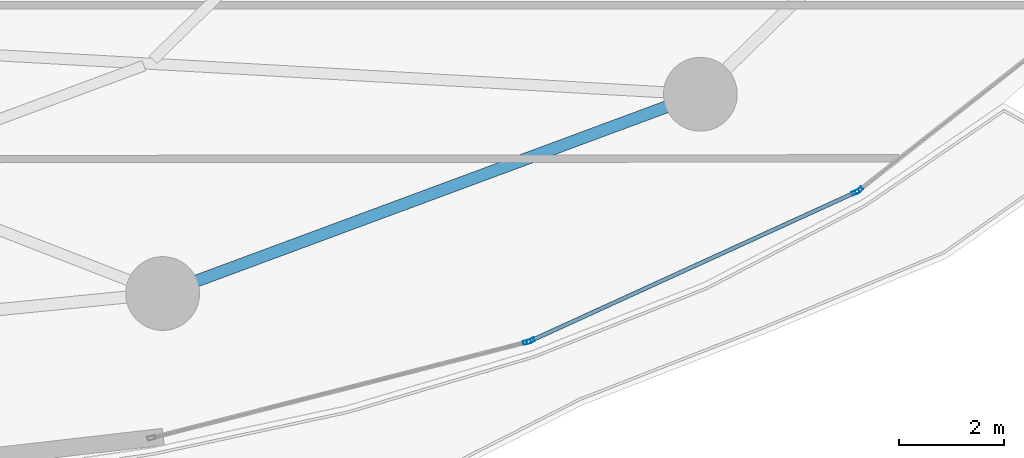
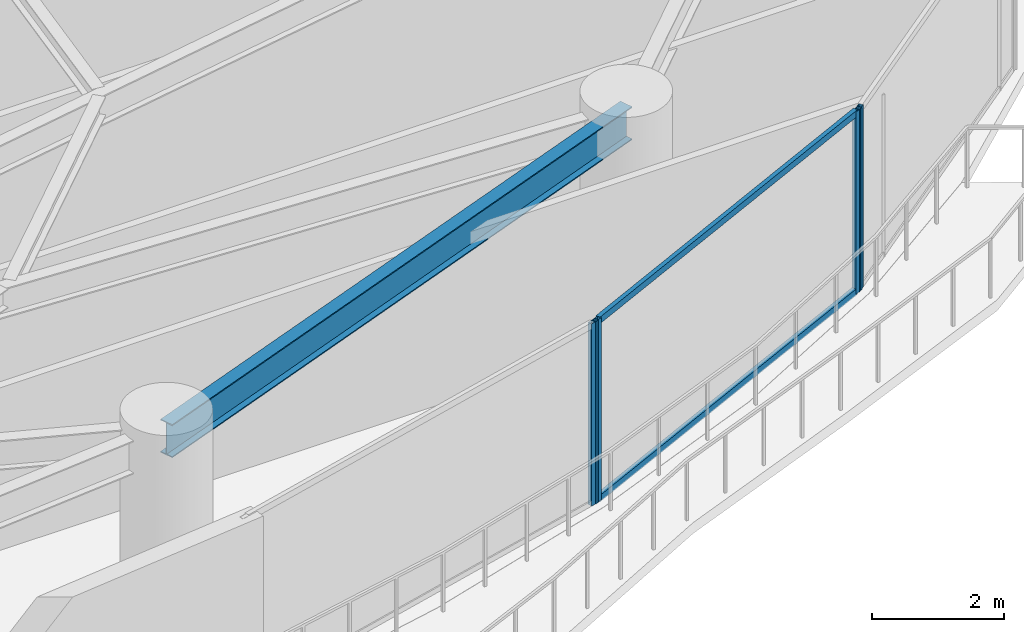
# One storey, part 13 of 33: 6 members, 1 beam, 3 elements without a shape of their own.
"""IFC4 building model written with IfcOpenShell, lengths in metres."""

from ifc_helpers import new_model, si_unit, direction, frame, origin, origin_2d, place, context, subcontext, project, spatial, hollow_rectangle, i_section, extrude, material, layer, layer_set, material_profile, profile_set, type_object, element, aggregate, save


model = new_model("IFC4")

# Units and contexts
model_context = context("Model", 3, precision=1e-05, world=origin(), true_north=direction((0.0, 1.0)))
body_context = subcontext(model_context, "Body", "Model", "MODEL_VIEW")
ifc_project = project(units=[si_unit("LENGTHUNIT", "METRE"), si_unit("AREAUNIT", "SQUARE_METRE"), si_unit("VOLUMEUNIT", "CUBIC_METRE"), si_unit("PLANEANGLEUNIT", "RADIAN"), si_unit("MASSUNIT", "GRAM", prefix="KILO")], contexts=[model_context])

# Site, building, storey
site_placement = place(None, origin())
site = spatial("IfcSite", under=ifc_project, at=site_placement, CompositionType="ELEMENT")
building_placement = place(site_placement, origin())
building = spatial("IfcBuilding", under=site, at=building_placement, Name="Kazevale Care Tower and Concert Hall", CompositionType="ELEMENT")
storey_placement = place(building_placement, frame((0.0, 0.0, 27.60009765625)))
storey = spatial("IfcBuildingStorey", under=building, at=storey_placement, Name="L06", CompositionType="ELEMENT", Elevation=27.60009765625)

# Curtain wall, member
ifc_material_1 = material(Name="Aluminium 6063-T6 and Low-E Glass", Category="aluminium")
ifc_layer = layer(ifc_material_1, 0.179931640625)
ifc_layer_set = layer_set([ifc_layer], Name="Aluminium 6063-T6 and Low-E Glass")
curtain_wall_type = type_object("IfcCurtainWallType", Name="Sheltered Concave Balcony Curtain Wall CW-5", PredefinedType="NOTDEFINED", material=ifc_layer_set)
curtain_wall_1_placement = place(storey_placement, origin())
curtain_wall_1 = element("IfcCurtainWall", 1, at=curtain_wall_1_placement, inside=storey, type_object=curtain_wall_type, Name="cw:L06:f02", PredefinedType="NOTDEFINED")
ifc_material_2 = material(Name="Aluminium 6063-T6", Category="aluminium")
ifc_material_profile_1 = material_profile(ifc_material_2, hollow_rectangle(XDim=0.074951171875, YDim=0.14990234375, WallThickness=0.00390625, at=origin_2d()), Name="ALU75x150x4")
ifc_profile_set_1 = profile_set([ifc_material_profile_1], Name="Aluminium 6063-T6")
member_type_1 = type_object("IfcMemberType", Name="CW-5 Mullion ALU75x150x4", PredefinedType="MULLION", material=ifc_profile_set_1)
member_1_placement = place(storey_placement, frame((70.25146484375, 20.490234375, 0.0), z_axis=(0.0, 0.0, 1.0), x_axis=(0.617807548814, -0.78632934107, 0.0)))
member_1 = element("IfcMember", 2, at=member_1_placement, type_object=member_type_1, Name="CW-5 mullion 2", PredefinedType="MULLION", context=body_context, shape_type="SweptSolid", body=[
    extrude(hollow_rectangle(XDim=0.074951171875, YDim=0.14990234375, WallThickness=0.00390625, at=origin_2d()), origin(), (0.0, 0.0, 1.0), 3.35986328125),
])
aggregate(curtain_wall_1, [member_1])

# Curtain wall, members
curtain_wall_2_placement = place(storey_placement, origin())
curtain_wall_2 = element("IfcCurtainWall", 3, at=curtain_wall_2_placement, inside=storey, type_object=curtain_wall_type, Name="cw:L06:f03", PredefinedType="NOTDEFINED")
member_2_placement = place(storey_placement, frame((70.18798828125, 20.451416015625, 0.0), z_axis=(0.0, 0.0, 1.0), x_axis=(0.415659767773, -0.909520179795, 0.0)))
member_2 = element("IfcMember", 4, at=member_2_placement, type_object=member_type_1, Name="CW-5 mullion 1", PredefinedType="MULLION", context=body_context, shape_type="SweptSolid", body=[
    extrude(hollow_rectangle(XDim=0.074951171875, YDim=0.14990234375, WallThickness=0.00390625, at=origin_2d()), origin(), (0.0, 0.0, 1.0), 3.35986328125),
])
member_3_placement = place(storey_placement, frame((64.022216796875, 17.633544921875, 0.0), z_axis=(0.0, 0.0, 1.0), x_axis=(0.415659767773, -0.909520179795, 0.0)))
member_3 = element("IfcMember", 5, at=member_3_placement, type_object=member_type_1, Name="CW-5 mullion 2", PredefinedType="MULLION", context=body_context, shape_type="SweptSolid", body=[
    extrude(hollow_rectangle(XDim=0.074951171875, YDim=0.14990234375, WallThickness=0.00390625, at=origin_2d()), origin(), (0.0, 0.0, 1.0), 3.35986328125),
])

# Curtain wall, member
curtain_wall_3_placement = place(storey_placement, origin())
curtain_wall_3 = element("IfcCurtainWall", 6, at=curtain_wall_3_placement, inside=storey, type_object=curtain_wall_type, Name="cw:L06:f04", PredefinedType="NOTDEFINED")
member_4_placement = place(storey_placement, frame((63.95166015625, 17.608642578125, 0.0), z_axis=(0.0, 0.0, 1.0), x_axis=(0.247221864936, -0.968958899798, 0.0)))
member_4 = element("IfcMember", 7, at=member_4_placement, type_object=member_type_1, Name="CW-5 mullion 1", PredefinedType="MULLION", context=body_context, shape_type="SweptSolid", body=[
    extrude(hollow_rectangle(XDim=0.074951171875, YDim=0.14990234375, WallThickness=0.00390625, at=origin_2d()), origin(), (0.0, 0.0, 1.0), 3.35986328125),
])
aggregate(curtain_wall_3, [member_4])

# Member
ifc_material_profile_2 = material_profile(ifc_material_2, hollow_rectangle(XDim=0.074951171875, YDim=0.1201171875, WallThickness=0.00390625, at=origin_2d()), Name="ALU75x120x4")
ifc_profile_set_2 = profile_set([ifc_material_profile_2], Name="Aluminium 6063-T6")
member_type_2 = type_object("IfcMemberType", Name="CW-5 Transom ALU75x120x4", PredefinedType="USERDEFINED", material=ifc_profile_set_2)
member_5_placement = place(storey_placement, frame((70.15380859375, 20.435791015625, 0.037353515625), z_axis=(-0.909524040017, -0.415651320978, 0.0), x_axis=(0.415651320978, -0.909524040017, 0.0)))
member_5 = element("IfcMember", 8, at=member_5_placement, type_object=member_type_2, Name="CW-5 transom 1.1", ObjectType="TRANSOM", PredefinedType="USERDEFINED", context=body_context, shape_type="SweptSolid", body=[
    extrude(hollow_rectangle(XDim=0.074951171875, YDim=0.1201171875, WallThickness=0.00390625, at=origin_2d()), origin(), (0.0, 0.0, 1.0), 6.704345703125),
])

member_6_placement = place(storey_placement, frame((70.15380859375, 20.435791015625, 3.322509765625), z_axis=(-0.909524040017, -0.415651320978, 0.0), x_axis=(0.415651320978, -0.909524040017, 0.0)))
member_6 = element("IfcMember", 9, at=member_6_placement, type_object=member_type_2, Name="CW-5 transom 1.2", ObjectType="TRANSOM", PredefinedType="USERDEFINED", context=body_context, shape_type="SweptSolid", body=[
    extrude(hollow_rectangle(XDim=0.074951171875, YDim=0.1201171875, WallThickness=0.00390625, at=origin_2d()), origin(), (0.0, 0.0, 1.0), 6.704345703125),
])

aggregate(curtain_wall_2, [member_2, member_3, member_5, member_6])

# Beam
ifc_material_3 = material(Name="Steel ASTM A572 Gr 50", Category="steel")
ifc_material_profile_3 = material_profile(ifc_material_3, i_section(OverallWidth=0.22900390625, OverallDepth=0.612060546875, WebThickness=0.011962890625, FlangeThickness=0.01953125, at=origin_2d()), Name="W610x125")
ifc_profile_set_3 = profile_set([ifc_material_profile_3], Name="Steel ASTM A572 Gr 50")
beam_type = type_object("IfcBeamType", Name="Ring Spandrel Beam W610x125", PredefinedType="SPANDREL", material=ifc_profile_set_3)
beam_placement = place(storey_placement, frame((57.0400390625, 18.530029296875, 3.053955078125), z_axis=(0.937680788596, 0.347497825458, 0.0), x_axis=(-0.347497825458, 0.937680788596, 0.0)))
element("IfcBeam", 10, at=beam_placement, inside=storey, type_object=beam_type, Name="beam:L06:ring:14", PredefinedType="SPANDREL", context=body_context, shape_type="SweptSolid", body=[
    extrude(i_section(OverallWidth=0.22900390625, OverallDepth=0.612060546875, WebThickness=0.011962890625, FlangeThickness=0.01953125, at=origin_2d()), origin(), (0.0, 0.0, 1.0), 10.8779296875),
])

save(model, "model.ifc")
